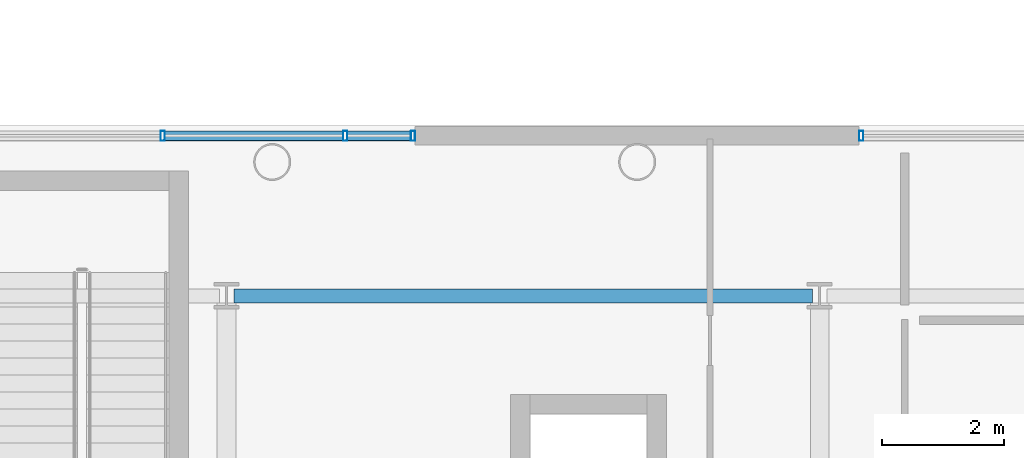
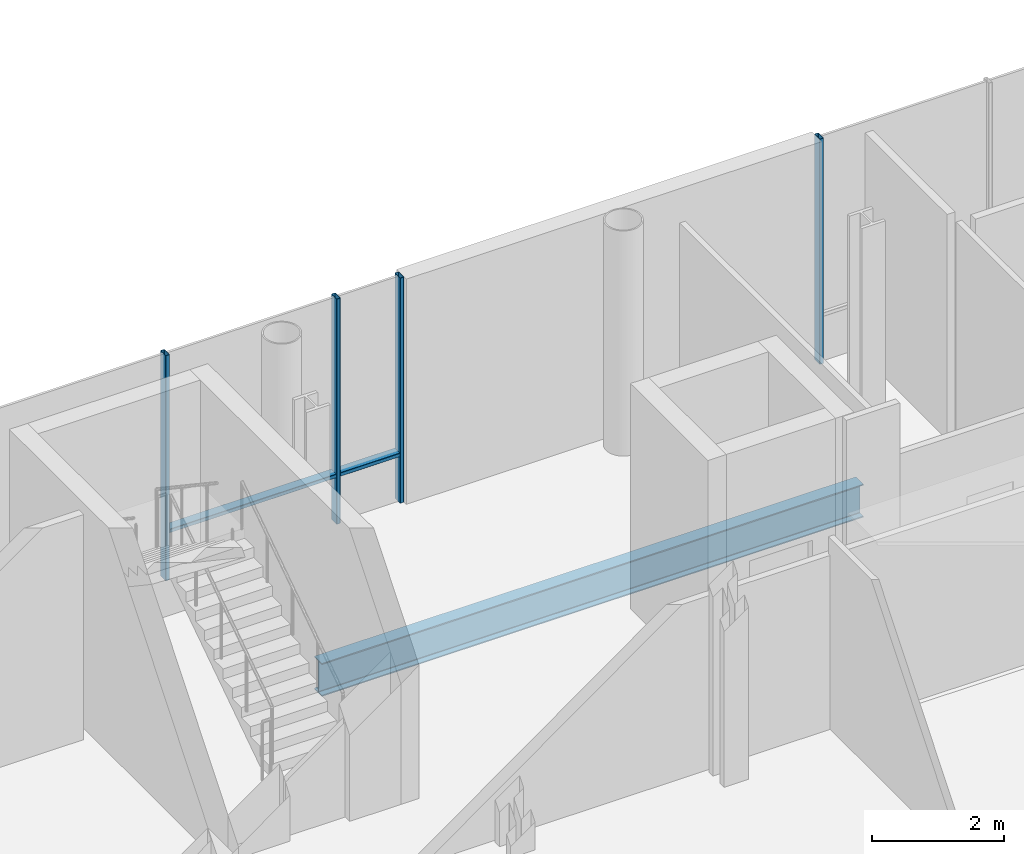
# One storey, part 10 of 28: 6 members, 1 beam, 2 elements without a shape of their own.
"""IFC4 building model written with IfcOpenShell, lengths in metres."""

from ifc_helpers import new_model, si_unit, direction, frame, origin, origin_2d, place, context, subcontext, project, spatial, hollow_rectangle, i_section, extrude, material, layer, layer_set, material_profile, profile_set, type_object, element, aggregate, save


model = new_model("IFC4")

# Units and contexts
model_context = context("Model", 3, precision=1e-05, world=origin(), true_north=direction((0.0, 1.0)))
body_context = subcontext(model_context, "Body", "Model", "MODEL_VIEW")
ifc_project = project(units=[si_unit("LENGTHUNIT", "METRE"), si_unit("AREAUNIT", "SQUARE_METRE"), si_unit("VOLUMEUNIT", "CUBIC_METRE"), si_unit("PLANEANGLEUNIT", "RADIAN"), si_unit("MASSUNIT", "GRAM", prefix="KILO")], contexts=[model_context])

# Site, building, storey
site_placement = place(None, origin())
site = spatial("IfcSite", under=ifc_project, at=site_placement, CompositionType="ELEMENT")
building_placement = place(site_placement, origin())
building = spatial("IfcBuilding", under=site, at=building_placement, Name="Brevholm Reach", CompositionType="ELEMENT")
storey_placement = place(building_placement, origin())
storey = spatial("IfcBuildingStorey", under=building, at=storey_placement, Name="L00", CompositionType="ELEMENT", Elevation=0.0)

# Beam
ifc_material_1 = material(Name="Structural Steel S355J2", Category="steel")
ifc_material_profile_1 = material_profile(ifc_material_1, i_section(OverallWidth=0.22900390625, OverallDepth=0.6123046875, WebThickness=0.011962890625, FlangeThickness=0.01953125, FilletRadius=0.0126953125, at=origin_2d()), Name="UKB 610x229x125")
ifc_profile_set_1 = profile_set([ifc_material_profile_1], Name="Structural Steel S355J2")
beam_type = type_object("IfcBeamType", Name="BM-SP610", PredefinedType="SPANDREL", material=ifc_profile_set_1)
beam_placement = place(storey_placement, frame((38.3701171875, 37.199951171875, -0.64599609375), z_axis=(1.0, 0.0, 0.0), x_axis=(0.0, 1.0, 0.0)))
element("IfcBeam", 1, at=beam_placement, inside=storey, type_object=beam_type, Name="L00 SP-01 Framing Beam", PredefinedType="SPANDREL", context=body_context, shape_type="SweptSolid", body=[
    extrude(i_section(OverallWidth=0.22900390625, OverallDepth=0.6123046875, WebThickness=0.011962890625, FlangeThickness=0.01953125, FilletRadius=0.0126953125, at=origin_2d()), origin(), (0.0, 0.0, 1.0), 9.509765625),
])

# Curtain wall, members
ifc_material_2 = material(Name="Dark Anodised Aluminium 6063-T6 and Solar-Control Glass", Category="aluminium")
ifc_layer = layer(ifc_material_2, 0.1650390625)
ifc_layer_set = layer_set([ifc_layer], Name="Dark Anodised Aluminium 6063-T6 and Solar-Control Glass")
curtain_wall_type = type_object("IfcCurtainWallType", Name="CW-03", PredefinedType="NOTDEFINED", material=ifc_layer_set)
curtain_wall_1_placement = place(storey_placement, origin())
curtain_wall_1 = element("IfcCurtainWall", 2, at=curtain_wall_1_placement, inside=storey, type_object=curtain_wall_type, Name="L00 Curtain Wall CW-03", PredefinedType="NOTDEFINED")
ifc_material_3 = material(Name="Dark Anodised Aluminium 6063-T6", Category="aluminium")
ifc_material_profile_2 = material_profile(ifc_material_3, hollow_rectangle(XDim=0.070068359375, YDim=0.1650390625, WallThickness=0.0048828125, InnerFilletRadius=0.0048828125, OuterFilletRadius=0.010009765625, at=origin_2d()), Name="RHS 165x70x5")
ifc_profile_set_2 = profile_set([ifc_material_profile_2], Name="Dark Anodised Aluminium 6063-T6")
member_type_1 = type_object("IfcMemberType", Name="CWM-165", PredefinedType="MULLION", material=ifc_profile_set_2)
member_1_placement = place(storey_placement, frame((37.199951171875, 39.830078125, 0.0), z_axis=(0.0, 0.0, 1.0), x_axis=(1.0, 0.0, 0.0)))
member_1 = element("IfcMember", 3, at=member_1_placement, type_object=member_type_1, Name="CM-165 Mullion 4", PredefinedType="MULLION", context=body_context, shape_type="SweptSolid", body=[
    extrude(hollow_rectangle(XDim=0.070068359375, YDim=0.1650390625, WallThickness=0.0048828125, InnerFilletRadius=0.0048828125, OuterFilletRadius=0.010009765625, at=origin_2d()), origin(), (0.0, 0.0, 1.0), 4.179931640625),
])
member_2_placement = place(storey_placement, frame((40.199951171875, 39.830078125, 0.0), z_axis=(0.0, 0.0, 1.0), x_axis=(1.0, 0.0, 0.0)))
member_2 = element("IfcMember", 4, at=member_2_placement, type_object=member_type_1, Name="CM-165 Mullion 5", PredefinedType="MULLION", context=body_context, shape_type="SweptSolid", body=[
    extrude(hollow_rectangle(XDim=0.070068359375, YDim=0.1650390625, WallThickness=0.0048828125, InnerFilletRadius=0.0048828125, OuterFilletRadius=0.010009765625, at=origin_2d()), origin(), (0.0, 0.0, 1.0), 4.179931640625),
])
member_3_placement = place(storey_placement, frame((41.31494140625, 39.830078125, 0.0), z_axis=(0.0, 0.0, 1.0), x_axis=(1.0, 0.0, 0.0)))
member_3 = element("IfcMember", 5, at=member_3_placement, type_object=member_type_1, Name="CM-165 Mullion 6", PredefinedType="MULLION", context=body_context, shape_type="SweptSolid", body=[
    extrude(hollow_rectangle(XDim=0.070068359375, YDim=0.1650390625, WallThickness=0.0048828125, InnerFilletRadius=0.0048828125, OuterFilletRadius=0.010009765625, at=origin_2d()), origin(), (0.0, 0.0, 1.0), 4.179931640625),
])

# Curtain wall, member
curtain_wall_2_placement = place(storey_placement, origin())
curtain_wall_2 = element("IfcCurtainWall", 6, at=curtain_wall_2_placement, inside=storey, type_object=curtain_wall_type, Name="L00 Curtain Wall CW-03", PredefinedType="NOTDEFINED")
member_4_placement = place(storey_placement, frame((48.68505859375, 39.830078125, 0.0), z_axis=(0.0, 0.0, 1.0), x_axis=(1.0, 0.0, 0.0)))
member_4 = element("IfcMember", 7, at=member_4_placement, type_object=member_type_1, Name="CM-165 Mullion 1", PredefinedType="MULLION", context=body_context, shape_type="SweptSolid", body=[
    extrude(hollow_rectangle(XDim=0.070068359375, YDim=0.1650390625, WallThickness=0.0048828125, InnerFilletRadius=0.0048828125, OuterFilletRadius=0.010009765625, at=origin_2d()), origin(), (0.0, 0.0, 1.0), 4.179931640625),
])
aggregate(curtain_wall_2, [member_4])

# Member
ifc_material_4 = material(Name="Dark Anodised Aluminium 6063-T6", Category="aluminium")
ifc_material_profile_3 = material_profile(ifc_material_4, hollow_rectangle(XDim=0.070068359375, YDim=0.1650390625, WallThickness=0.0048828125, InnerFilletRadius=0.0048828125, OuterFilletRadius=0.010009765625, at=origin_2d()), Name="RHS 165x70x5")
ifc_profile_set_3 = profile_set([ifc_material_profile_3], Name="Dark Anodised Aluminium 6063-T6")
member_type_2 = type_object("IfcMemberType", Name="CWT-165", PredefinedType="NOTDEFINED", material=ifc_profile_set_3)
member_5_placement = place(storey_placement, frame((37.235107421875, 39.830078125, 0.89990234375), z_axis=(1.0, 0.0, 0.0), x_axis=(0.0, 0.0, 1.0)))
member_5 = element("IfcMember", 8, at=member_5_placement, type_object=member_type_2, Name="CT-165 Transom 4.1", ObjectType="TRANSOM", PredefinedType="USERDEFINED", context=body_context, shape_type="SweptSolid", body=[
    extrude(hollow_rectangle(XDim=0.070068359375, YDim=0.1650390625, WallThickness=0.0048828125, InnerFilletRadius=0.0048828125, OuterFilletRadius=0.010009765625, at=origin_2d()), origin(), (0.0, 0.0, 1.0), 2.929931640625),
])

member_6_placement = place(storey_placement, frame((40.235107421875, 39.830078125, 0.89990234375), z_axis=(1.0, 0.0, 0.0), x_axis=(0.0, 0.0, 1.0)))
member_6 = element("IfcMember", 9, at=member_6_placement, type_object=member_type_2, Name="CT-165 Transom 5.1", ObjectType="TRANSOM", PredefinedType="USERDEFINED", context=body_context, shape_type="SweptSolid", body=[
    extrude(hollow_rectangle(XDim=0.070068359375, YDim=0.1650390625, WallThickness=0.0048828125, InnerFilletRadius=0.0048828125, OuterFilletRadius=0.010009765625, at=origin_2d()), origin(), (0.0, 0.0, 1.0), 1.044921875),
])

aggregate(curtain_wall_1, [member_1, member_2, member_3, member_5, member_6])

save(model, "model.ifc")
